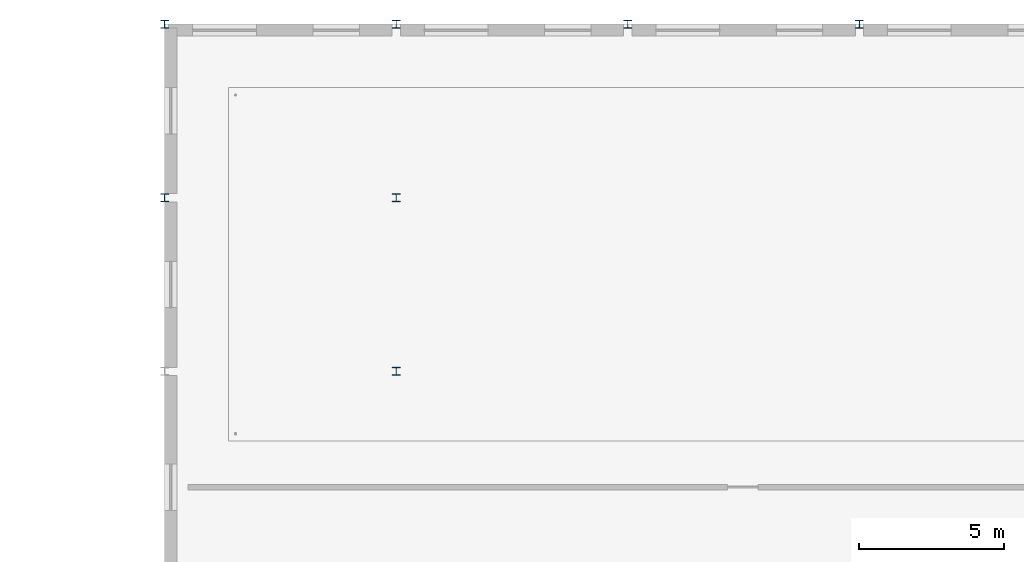
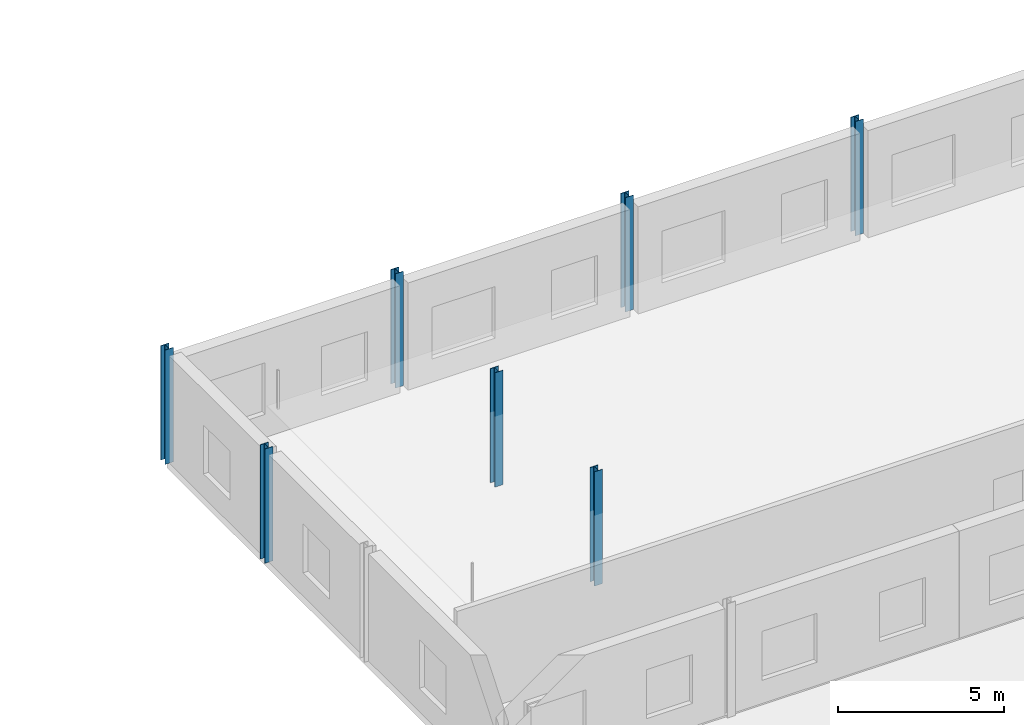
# One storey, part 13 of 124: 7 columns.
"""IFC4 building model written with IfcOpenShell, lengths in metres."""

from ifc_helpers import new_model, si_unit, direction, frame, origin, origin_2d, place, context, subcontext, project, spatial, i_section, extrude, material, material_profile, profile_set, type_object, element, save


model = new_model("IFC4")

# Units and contexts
model_context = context("Model", 3, precision=1e-05, world=origin(), true_north=direction((0.0, 1.0)))
body_context = subcontext(model_context, "Body", "Model", "MODEL_VIEW")
ifc_project = project(units=[si_unit("LENGTHUNIT", "METRE"), si_unit("AREAUNIT", "SQUARE_METRE"), si_unit("VOLUMEUNIT", "CUBIC_METRE"), si_unit("PLANEANGLEUNIT", "RADIAN"), si_unit("MASSUNIT", "GRAM", prefix="KILO")], contexts=[model_context])

# Site, building, storey
site_placement = place(None, origin())
site = spatial("IfcSite", under=ifc_project, at=site_placement, CompositionType="ELEMENT")
building_placement = place(site_placement, origin())
building = spatial("IfcBuilding", under=site, at=building_placement, Name="Sundkrona Museum", CompositionType="ELEMENT")
storey_placement = place(building_placement, frame((0.0, 0.0, 17.60009765625)))
storey = spatial("IfcBuildingStorey", under=building, at=storey_placement, Name="L03", CompositionType="ELEMENT", Elevation=17.60009765625)

# Columns
ifc_material = material(Name="Steel S355J2", Category="steel")
ifc_material_profile = material_profile(ifc_material, i_section(OverallWidth=0.280029296875, OverallDepth=0.280029296875, WebThickness=0.010498046875, FlangeThickness=0.01806640625, FilletRadius=0.02392578125, at=origin_2d()), Name="HEB 280")
ifc_profile_set = profile_set([ifc_material_profile], Name="Steel S355J2")
column_type = type_object("IfcColumnType", Name="C-HEB280", PredefinedType="COLUMN", material=ifc_profile_set)
for number, where, z_axis, x_axis, name in (
    (1, (104.0, 108.0, 0.0), (0.0, 0.0, 1.0), (1.0, 0.0, 0.0), "L03 Column Q/14"),
    (2, (104.0, 114.0, 0.0), (0.0, 0.0, 1.0), (1.0, 0.0, 0.0), "L03 Column R/14"),
    (3, (112.0, 102.0, 0.0), (0.0, 0.0, 1.0), (1.0, 0.0, 0.0), "L03 Column P/15"),
    (4, (112.0, 108.0, 0.0), (0.0, 0.0, 1.0), (1.0, 0.0, 0.0), "L03 Column Q/15"),
    (5, (112.0, 114.0, 0.0), (0.0, 0.0, 1.0), (1.0, 0.0, 0.0), "L03 Column R/15"),
    (6, (120.0, 114.0, 0.0), (0.0, 0.0, 1.0), (1.0, 0.0, 0.0), "L03 Column R/16"),
    (7, (128.0, 114.0, 0.0), (0.0, 0.0, 1.0), (1.0, 0.0, 0.0), "L03 Column R/17"),
):
    element("IfcColumn", number, at=place(storey_placement, frame(where, z_axis=z_axis, x_axis=x_axis)), inside=storey, type_object=column_type, Name=name, PredefinedType="COLUMN", context=body_context, shape_type="SweptSolid", body=[
        extrude(i_section(OverallWidth=0.280029296875, OverallDepth=0.280029296875, WebThickness=0.010498046875, FlangeThickness=0.01806640625, FilletRadius=0.02392578125, at=origin_2d()), origin(), (0.0, 0.0, 1.0), 4.199951171875),
    ])

save(model, "model.ifc")
